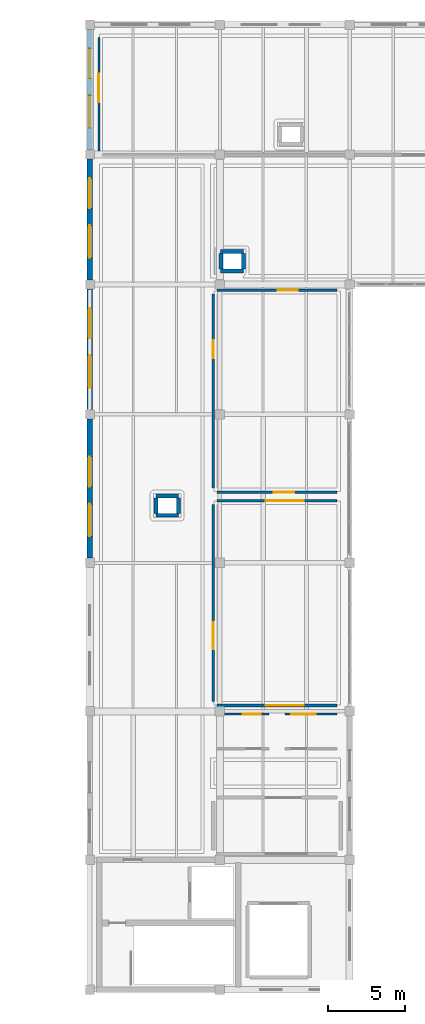
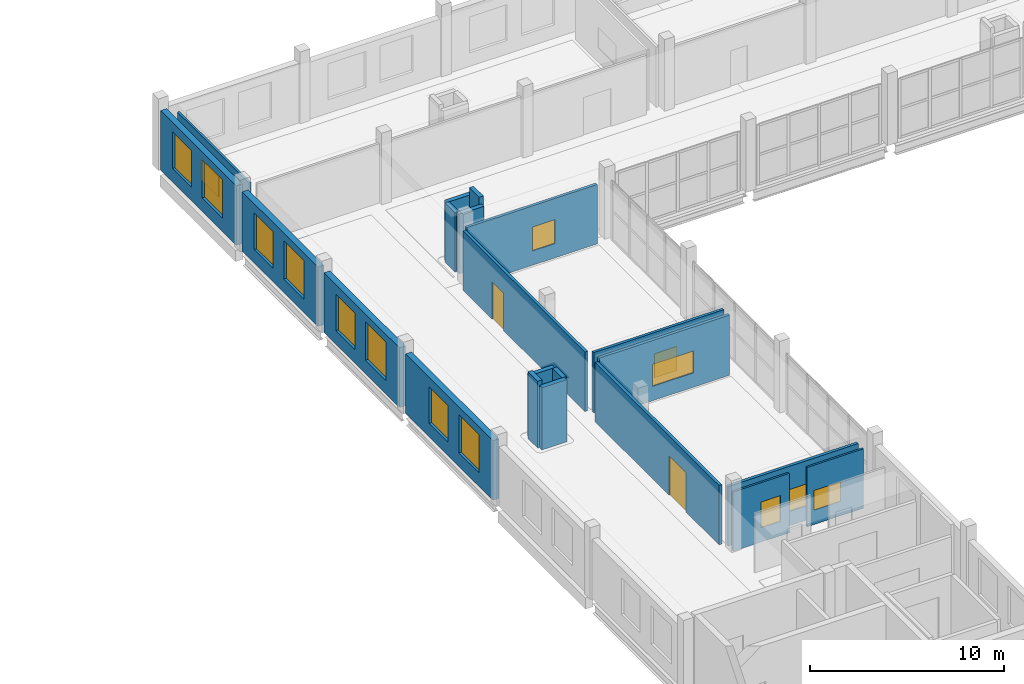
# One storey, part 50 of 54: 21 walls, 15 windows, 2 doors, 17 openings.
"""IFC4 building model written with IfcOpenShell, lengths in metres."""

from ifc_helpers import new_model, si_unit, direction, frame, frame_2d, origin, place, context, subcontext, project, spatial, rectangle, extrude, material, layer, layer_set, type_object, element, fill, save


model = new_model("IFC4")

# Units and contexts
model_context = context("Model", 3, precision=1e-05, world=origin(), true_north=direction((0.0, 1.0)))
body_context = subcontext(model_context, "Body", "Model", "MODEL_VIEW")
ifc_project = project(units=[si_unit("LENGTHUNIT", "METRE"), si_unit("AREAUNIT", "SQUARE_METRE"), si_unit("VOLUMEUNIT", "CUBIC_METRE"), si_unit("PLANEANGLEUNIT", "RADIAN"), si_unit("MASSUNIT", "GRAM", prefix="KILO")], contexts=[model_context])

# Site, building, storey
site_placement = place(None, origin())
site = spatial("IfcSite", under=ifc_project, at=site_placement, CompositionType="ELEMENT")
building_placement = place(site_placement, origin())
building = spatial("IfcBuilding", under=site, at=building_placement, Name="Zulmaris Art Gallery", CompositionType="ELEMENT")
storey_placement = place(building_placement, frame((0.0, 0.0, 26.39990234375)))
storey = spatial("IfcBuildingStorey", under=building, at=storey_placement, Name="L05", CompositionType="ELEMENT", Elevation=26.39990234375)

# Wall, openings, windows
ifc_material_1 = material(Name="Honed Omani Travertine Insulated Wall", Category="masonry")
ifc_layer_1 = layer(ifc_material_1, 0.360107421875)
ifc_layer_set_1 = layer_set([ifc_layer_1], Name="Honed Omani Travertine Insulated Wall")
wall_type_1 = type_object("IfcWallType", Name="ENV-WALL-EW03", PredefinedType="SOLIDWALL", material=ifc_layer_set_1)
wall_1_placement = place(storey_placement, frame((141.60009765625, 41.10205078125, 0.0), z_axis=(0.0, 0.0, 1.0), x_axis=(0.0, 1.0, 0.0)))
wall_1 = element("IfcWall", 1, at=wall_1_placement, inside=storey, type_object=wall_type_1, Name="L05 V5 Upper West Overlook Facade", PredefinedType="SOLIDWALL", context=body_context, shape_type="SweptSolid", body=[
    extrude(rectangle(XDim=8.995849609375, YDim=0.360107421875, at=frame_2d((4.498046875, 0.0))), origin(), (0.0, 0.0, 1.0), 3.739990234375),
])
opening_1_placement = place(wall_1_placement, frame((1.41796875, 0.0, 0.85009765625)))
opening_1 = element("IfcOpeningElement", 2, at=opening_1_placement, cuts=wall_1, Name="Opening W03", PredefinedType="OPENING", context=body_context, shape_type="SweptSolid", body=[
    extrude(rectangle(XDim=2.10009765625, YDim=2.39990234375, at=frame_2d((1.050048828125, 1.199951171875))), frame((0.0, 0.18994140625, 0.0), z_axis=(0.0, -1.0, 0.0), x_axis=(1.0, 0.0, 0.0)), (0.0, 0.0, 1.0), 0.380126953125),
])
opening_2_placement = place(wall_1_placement, frame((4.617919921875, 0.0, 0.85009765625)))
opening_2 = element("IfcOpeningElement", 3, at=opening_2_placement, cuts=wall_1, Name="Opening W08", PredefinedType="OPENING", context=body_context, shape_type="SweptSolid", body=[
    extrude(rectangle(XDim=1.949951171875, YDim=2.300048828125, at=frame_2d((0.97509765625, 1.14990234375))), frame((0.0, 0.18994140625, 0.0), z_axis=(0.0, -1.0, 0.0), x_axis=(1.0, 0.0, 0.0)), (0.0, 0.0, 1.0), 0.380126953125),
])
ifc_material_2 = material(Name="Double-Glazed Bronze-Framed Studio Window", Category="glass")
window_type_1 = type_object("IfcWindowType", Name="WIN-W03", PartitioningType="SINGLE_PANEL", PredefinedType="WINDOW", material=ifc_material_2)
window_1_placement = place(opening_1_placement, origin())
window_1 = element("IfcWindow", 4, at=window_1_placement, inside=storey, type_object=window_type_1, Name="L05 exterior window W03", OverallHeight=2.39990234375, OverallWidth=2.10009765625, PartitioningType="SINGLE_PANEL", PredefinedType="WINDOW", context=body_context, shape_type="SweptSolid", body=[
    extrude(rectangle(XDim=2.10009765625, YDim=2.39990234375, at=frame_2d((1.050048828125, 1.199951171875))), frame((0.0, 0.030029296875, 0.0), z_axis=(0.0, -1.0, 0.0), x_axis=(1.0, 0.0, 0.0)), (0.0, 0.0, 1.0), 0.06005859375),
])
fill(opening_1, window_1)
ifc_material_3 = material(Name="Curatorial North Studio Window", Category="glass")
window_type_2 = type_object("IfcWindowType", Name="WIN-W08", PartitioningType="SINGLE_PANEL", PredefinedType="WINDOW", material=ifc_material_3)
window_2_placement = place(opening_2_placement, origin())
window_2 = element("IfcWindow", 5, at=window_2_placement, inside=storey, type_object=window_type_2, Name="L05 exterior window W08", OverallHeight=2.300048828125, OverallWidth=1.949951171875, PartitioningType="SINGLE_PANEL", PredefinedType="WINDOW", context=body_context, shape_type="SweptSolid", body=[
    extrude(rectangle(XDim=1.949951171875, YDim=2.300048828125, at=frame_2d((0.97509765625, 1.14990234375))), frame((0.0, 0.030029296875, 0.0), z_axis=(0.0, -1.0, 0.0), x_axis=(1.0, 0.0, 0.0)), (0.0, 0.0, 1.0), 0.06005859375),
])
fill(opening_2, window_2)

wall_2_placement = place(storey_placement, frame((141.60009765625, 50.701904296875, 0.0), z_axis=(0.0, 0.0, 1.0), x_axis=(0.0, 1.0, 0.0)))
wall_2 = element("IfcWall", 6, at=wall_2_placement, inside=storey, type_object=wall_type_1, Name="L05 V5 Upper West Overlook Facade", PredefinedType="SOLIDWALL", context=body_context, shape_type="SweptSolid", body=[
    extrude(rectangle(XDim=7.796142578125, YDim=0.360107421875, at=frame_2d((3.89794921875, 0.0))), origin(), (0.0, 0.0, 1.0), 3.739990234375),
])
opening_3_placement = place(wall_2_placement, frame((1.41796875, 0.0, 0.85009765625)))
opening_3 = element("IfcOpeningElement", 7, at=opening_3_placement, cuts=wall_2, Name="Opening W03", PredefinedType="OPENING", context=body_context, shape_type="SweptSolid", body=[
    extrude(rectangle(XDim=2.10009765625, YDim=2.39990234375, at=frame_2d((1.050048828125, 1.199951171875))), frame((0.0, 0.18994140625, 0.0), z_axis=(0.0, -1.0, 0.0), x_axis=(1.0, 0.0, 0.0)), (0.0, 0.0, 1.0), 0.380126953125),
])
opening_4_placement = place(wall_2_placement, frame((4.617919921875, 0.0, 0.85009765625)))
opening_4 = element("IfcOpeningElement", 8, at=opening_4_placement, cuts=wall_2, Name="Opening W08", PredefinedType="OPENING", context=body_context, shape_type="SweptSolid", body=[
    extrude(rectangle(XDim=1.949951171875, YDim=2.300048828125, at=frame_2d((0.97509765625, 1.14990234375))), frame((0.0, 0.18994140625, 0.0), z_axis=(0.0, -1.0, 0.0), x_axis=(1.0, 0.0, 0.0)), (0.0, 0.0, 1.0), 0.380126953125),
])
window_3_placement = place(opening_3_placement, origin())
window_3 = element("IfcWindow", 9, at=window_3_placement, inside=storey, type_object=window_type_1, Name="L05 exterior window W03", OverallHeight=2.39990234375, OverallWidth=2.10009765625, PartitioningType="SINGLE_PANEL", PredefinedType="WINDOW", context=body_context, shape_type="SweptSolid", body=[
    extrude(rectangle(XDim=2.10009765625, YDim=2.39990234375, at=frame_2d((1.050048828125, 1.199951171875))), frame((0.0, 0.030029296875, 0.0), z_axis=(0.0, -1.0, 0.0), x_axis=(1.0, 0.0, 0.0)), (0.0, 0.0, 1.0), 0.06005859375),
])
fill(opening_3, window_3)
window_4_placement = place(opening_4_placement, origin())
window_4 = element("IfcWindow", 10, at=window_4_placement, inside=storey, type_object=window_type_2, Name="L05 exterior window W08", OverallHeight=2.300048828125, OverallWidth=1.949951171875, PartitioningType="SINGLE_PANEL", PredefinedType="WINDOW", context=body_context, shape_type="SweptSolid", body=[
    extrude(rectangle(XDim=1.949951171875, YDim=2.300048828125, at=frame_2d((0.97509765625, 1.14990234375))), frame((0.0, 0.030029296875, 0.0), z_axis=(0.0, -1.0, 0.0), x_axis=(1.0, 0.0, 0.0)), (0.0, 0.0, 1.0), 0.06005859375),
])
fill(opening_4, window_4)

wall_3_placement = place(storey_placement, frame((141.60009765625, 59.10205078125, 0.0), z_axis=(0.0, 0.0, 1.0), x_axis=(0.0, 1.0, 0.0)))
wall_3 = element("IfcWall", 11, at=wall_3_placement, inside=storey, type_object=wall_type_1, Name="L05 V5 Upper West Overlook Facade", PredefinedType="SOLIDWALL", context=body_context, shape_type="SweptSolid", body=[
    extrude(rectangle(XDim=7.7958984375, YDim=0.360107421875, at=frame_2d((3.89794921875, 0.0))), origin(), (0.0, 0.0, 1.0), 3.72998046875),
])
opening_5_placement = place(wall_3_placement, frame((1.41796875, 0.0, 0.85009765625)))
opening_5 = element("IfcOpeningElement", 12, at=opening_5_placement, cuts=wall_3, Name="Opening W03", PredefinedType="OPENING", context=body_context, shape_type="SweptSolid", body=[
    extrude(rectangle(XDim=2.10009765625, YDim=2.39990234375, at=frame_2d((1.050048828125, 1.199951171875))), frame((0.0, 0.18994140625, 0.0), z_axis=(0.0, -1.0, 0.0), x_axis=(1.0, 0.0, 0.0)), (0.0, 0.0, 1.0), 0.380126953125),
])
opening_6_placement = place(wall_3_placement, frame((4.617919921875, 0.0, 0.85009765625)))
opening_6 = element("IfcOpeningElement", 13, at=opening_6_placement, cuts=wall_3, Name="Opening W08", PredefinedType="OPENING", context=body_context, shape_type="SweptSolid", body=[
    extrude(rectangle(XDim=1.949951171875, YDim=2.300048828125, at=frame_2d((0.97509765625, 1.14990234375))), frame((0.0, 0.18994140625, 0.0), z_axis=(0.0, -1.0, 0.0), x_axis=(1.0, 0.0, 0.0)), (0.0, 0.0, 1.0), 0.380126953125),
])
window_5_placement = place(opening_5_placement, origin())
window_5 = element("IfcWindow", 14, at=window_5_placement, inside=storey, type_object=window_type_1, Name="L05 exterior window W03", OverallHeight=2.39990234375, OverallWidth=2.10009765625, PartitioningType="SINGLE_PANEL", PredefinedType="WINDOW", context=body_context, shape_type="SweptSolid", body=[
    extrude(rectangle(XDim=2.10009765625, YDim=2.39990234375, at=frame_2d((1.050048828125, 1.199951171875))), frame((0.0, 0.030029296875, 0.0), z_axis=(0.0, -1.0, 0.0), x_axis=(1.0, 0.0, 0.0)), (0.0, 0.0, 1.0), 0.06005859375),
])
fill(opening_5, window_5)
window_6_placement = place(opening_6_placement, origin())
window_6 = element("IfcWindow", 15, at=window_6_placement, inside=storey, type_object=window_type_2, Name="L05 exterior window W08", OverallHeight=2.300048828125, OverallWidth=1.949951171875, PartitioningType="SINGLE_PANEL", PredefinedType="WINDOW", context=body_context, shape_type="SweptSolid", body=[
    extrude(rectangle(XDim=1.949951171875, YDim=2.300048828125, at=frame_2d((0.97509765625, 1.14990234375))), frame((0.0, 0.030029296875, 0.0), z_axis=(0.0, -1.0, 0.0), x_axis=(1.0, 0.0, 0.0)), (0.0, 0.0, 1.0), 0.06005859375),
])
fill(opening_6, window_6)

wall_4_placement = place(storey_placement, frame((141.60009765625, 67.501953125, 0.0), z_axis=(0.0, 0.0, 1.0), x_axis=(0.0, 1.0, 0.0)))
wall_4 = element("IfcWall", 16, at=wall_4_placement, inside=storey, type_object=wall_type_1, Name="L05 V5 Upper West Overlook Facade", PredefinedType="SOLIDWALL", context=body_context, shape_type="SweptSolid", body=[
    extrude(rectangle(XDim=7.796142578125, YDim=0.360107421875, at=frame_2d((3.89794921875, 0.0))), origin(), (0.0, 0.0, 1.0), 3.739990234375),
])
opening_7_placement = place(wall_4_placement, frame((1.41796875, 0.0, 0.85009765625)))
opening_7 = element("IfcOpeningElement", 17, at=opening_7_placement, cuts=wall_4, Name="Opening W03", PredefinedType="OPENING", context=body_context, shape_type="SweptSolid", body=[
    extrude(rectangle(XDim=2.10009765625, YDim=2.39990234375, at=frame_2d((1.050048828125, 1.199951171875))), frame((0.0, 0.18994140625, 0.0), z_axis=(0.0, -1.0, 0.0), x_axis=(1.0, 0.0, 0.0)), (0.0, 0.0, 1.0), 0.380126953125),
])
opening_8_placement = place(wall_4_placement, frame((4.617919921875, 0.0, 0.85009765625)))
opening_8 = element("IfcOpeningElement", 18, at=opening_8_placement, cuts=wall_4, Name="Opening W08", PredefinedType="OPENING", context=body_context, shape_type="SweptSolid", body=[
    extrude(rectangle(XDim=1.949951171875, YDim=2.300048828125, at=frame_2d((0.97509765625, 1.14990234375))), frame((0.0, 0.18994140625, 0.0), z_axis=(0.0, -1.0, 0.0), x_axis=(1.0, 0.0, 0.0)), (0.0, 0.0, 1.0), 0.380126953125),
])
window_7_placement = place(opening_7_placement, origin())
window_7 = element("IfcWindow", 19, at=window_7_placement, inside=storey, type_object=window_type_1, Name="L05 exterior window W03", OverallHeight=2.39990234375, OverallWidth=2.10009765625, PartitioningType="SINGLE_PANEL", PredefinedType="WINDOW", context=body_context, shape_type="SweptSolid", body=[
    extrude(rectangle(XDim=2.10009765625, YDim=2.39990234375, at=frame_2d((1.050048828125, 1.199951171875))), frame((0.0, 0.030029296875, 0.0), z_axis=(0.0, -1.0, 0.0), x_axis=(1.0, 0.0, 0.0)), (0.0, 0.0, 1.0), 0.06005859375),
])
fill(opening_7, window_7)
window_8_placement = place(opening_8_placement, origin())
window_8 = element("IfcWindow", 20, at=window_8_placement, inside=storey, type_object=window_type_2, Name="L05 exterior window W08", OverallHeight=2.300048828125, OverallWidth=1.949951171875, PartitioningType="SINGLE_PANEL", PredefinedType="WINDOW", context=body_context, shape_type="SweptSolid", body=[
    extrude(rectangle(XDim=1.949951171875, YDim=2.300048828125, at=frame_2d((0.97509765625, 1.14990234375))), frame((0.0, 0.030029296875, 0.0), z_axis=(0.0, -1.0, 0.0), x_axis=(1.0, 0.0, 0.0)), (0.0, 0.0, 1.0), 0.06005859375),
])
fill(opening_8, window_8)

# Wall, opening, window
ifc_material_4 = material(Name="Moisture-Resistant Tile-Backer Wet Wall", Category="gypsum")
ifc_layer_2 = layer(ifc_material_4, 0.114990234375)
ifc_layer_set_2 = layer_set([ifc_layer_2], Name="Moisture-Resistant Tile-Backer Wet Wall")
wall_type_2 = type_object("IfcWallType", Name="IWALL-PW02", PredefinedType="PARTITIONING", material=ifc_layer_set_2)
wall_5_placement = place(storey_placement, frame((149.830078125, 31.02001953125, 0.0), z_axis=(0.0, 0.0, 1.0), x_axis=(1.0, 0.0, 0.0)))
wall_5 = element("IfcWall", 21, at=wall_5_placement, inside=storey, type_object=wall_type_2, Name="Level 05 Male WC N partition", PredefinedType="PARTITIONING", context=body_context, shape_type="SweptSolid", body=[
    extrude(rectangle(XDim=3.33984375, YDim=0.114990234375, at=frame_2d((1.669921875, 0.0))), origin(), (0.0, 0.0, 1.0), 3.72998046875),
])
opening_9_placement = place(wall_5_placement, frame((1.64990234375, 0.0, 0.89990234375)))
opening_9 = element("IfcOpeningElement", 22, at=opening_9_placement, cuts=wall_5, Name="Opening IW08", PredefinedType="OPENING", context=body_context, shape_type="SweptSolid", body=[
    extrude(rectangle(XDim=1.159912109375, YDim=1.6201171875, at=frame_2d((0.580078125, 0.81005859375))), frame((0.0, 0.0673828125, 0.0), z_axis=(0.0, -1.0, 0.0), x_axis=(1.0, 0.0, 0.0)), (0.0, 0.0, 1.0), 0.135009765625),
])
ifc_material_5 = material(Name="Foyer Cloakroom Counter Glazing", Category="glass")
window_type_3 = type_object("IfcWindowType", Name="IWIN-IW08", PartitioningType="SINGLE_PANEL", PredefinedType="WINDOW", material=ifc_material_5)
window_9_placement = place(opening_9_placement, origin())
window_9 = element("IfcWindow", 23, at=window_9_placement, inside=storey, type_object=window_type_3, Name="L05 interior observation window IW08", OverallHeight=1.6201171875, OverallWidth=1.159912109375, PartitioningType="SINGLE_PANEL", PredefinedType="WINDOW", context=body_context, shape_type="SweptSolid", body=[
    extrude(rectangle(XDim=1.159912109375, YDim=1.6201171875, at=frame_2d((0.580078125, 0.81005859375))), frame((0.0, 0.030029296875, 0.0), z_axis=(0.0, -1.0, 0.0), x_axis=(1.0, 0.0, 0.0)), (0.0, 0.0, 1.0), 0.06005859375),
])
fill(opening_9, window_9)

wall_6_placement = place(storey_placement, frame((154.22998046875, 31.02001953125, 0.0), z_axis=(0.0, 0.0, 1.0), x_axis=(1.0, 0.0, 0.0)))
wall_6 = element("IfcWall", 24, at=wall_6_placement, inside=storey, type_object=wall_type_2, Name="Level 05 Accessible WC N partition", PredefinedType="PARTITIONING", context=body_context, shape_type="SweptSolid", body=[
    extrude(rectangle(XDim=3.340087890625, YDim=0.114990234375, at=frame_2d((1.669921875, 0.0))), origin(), (0.0, 0.0, 1.0), 3.72998046875),
])
opening_10_placement = place(wall_6_placement, frame((0.39990234375, 0.0, 0.89990234375)))
opening_10 = element("IfcOpeningElement", 25, at=opening_10_placement, cuts=wall_6, Name="Opening IW09", PredefinedType="OPENING", context=body_context, shape_type="SweptSolid", body=[
    extrude(rectangle(XDim=1.580078125, YDim=1.239990234375, at=frame_2d((0.7900390625, 0.6201171875))), frame((0.0, 0.0673828125, 0.0), z_axis=(0.0, -1.0, 0.0), x_axis=(1.0, 0.0, 0.0)), (0.0, 0.0, 1.0), 0.135009765625),
])
ifc_material_6 = material(Name="Registrar Inspection Glazing", Category="glass")
window_type_4 = type_object("IfcWindowType", Name="IWIN-IW09", PartitioningType="SINGLE_PANEL", PredefinedType="WINDOW", material=ifc_material_6)
window_10_placement = place(opening_10_placement, origin())
window_10 = element("IfcWindow", 26, at=window_10_placement, inside=storey, type_object=window_type_4, Name="L05 interior observation window IW09", OverallHeight=1.239990234375, OverallWidth=1.580078125, PartitioningType="SINGLE_PANEL", PredefinedType="WINDOW", context=body_context, shape_type="SweptSolid", body=[
    extrude(rectangle(XDim=1.580078125, YDim=1.239990234375, at=frame_2d((0.7900390625, 0.6201171875))), frame((0.0, 0.030029296875, 0.0), z_axis=(0.0, -1.0, 0.0), x_axis=(1.0, 0.0, 0.0)), (0.0, 0.0, 1.0), 0.06005859375),
])
fill(opening_10, window_10)

ifc_material_7 = material(Name="Light Gallery Backing Partition", Category="gypsum")
ifc_layer_3 = layer(ifc_material_7, 0.1298828125)
ifc_layer_set_3 = layer_set([ifc_layer_3], Name="Light Gallery Backing Partition")
wall_type_3 = type_object("IfcWallType", Name="IWALL-PW03", PredefinedType="PARTITIONING", material=ifc_layer_set_3)
wall_7_placement = place(storey_placement, frame((142.179931640625, 67.429931640625, 0.0), z_axis=(0.0, 0.0, 1.0), x_axis=(0.0, 1.0, 0.0)))
wall_7 = element("IfcWall", 27, at=wall_7_placement, inside=storey, type_object=wall_type_3, Name="Resident Artists' Studio 5 (Large Format) W partition", PredefinedType="PARTITIONING", context=body_context, shape_type="SweptSolid", body=[
    extrude(rectangle(XDim=7.340087890625, YDim=0.1298828125, at=frame_2d((3.669921875, 0.0))), origin(), (0.0, 0.0, 1.0), 3.72998046875),
])
opening_11_placement = place(wall_7_placement, frame((3.14990234375, 0.0, 0.89990234375)))
opening_11 = element("IfcOpeningElement", 28, at=opening_11_placement, cuts=wall_7, Name="Opening IW02", PredefinedType="OPENING", context=body_context, shape_type="SweptSolid", body=[
    extrude(rectangle(XDim=1.860107421875, YDim=1.280029296875, at=frame_2d((0.93017578125, 0.64013671875))), frame((0.0, 0.074951171875, 0.0), z_axis=(0.0, -1.0, 0.0), x_axis=(1.0, 0.0, 0.0)), (0.0, 0.0, 1.0), 0.14990234375),
])
ifc_material_8 = material(Name="Auditorium Booth Acoustic Window", Category="glass")
window_type_5 = type_object("IfcWindowType", Name="IWIN-IW02", PartitioningType="SINGLE_PANEL", PredefinedType="WINDOW", material=ifc_material_8)
window_11_placement = place(opening_11_placement, origin())
window_11 = element("IfcWindow", 29, at=window_11_placement, inside=storey, type_object=window_type_5, Name="L05 interior observation window IW02", OverallHeight=1.280029296875, OverallWidth=1.860107421875, PartitioningType="SINGLE_PANEL", PredefinedType="WINDOW", context=body_context, shape_type="SweptSolid", body=[
    extrude(rectangle(XDim=1.860107421875, YDim=1.280029296875, at=frame_2d((0.93017578125, 0.64013671875))), frame((0.0, 0.030029296875, 0.0), z_axis=(0.0, -1.0, 0.0), x_axis=(1.0, 0.0, 0.0)), (0.0, 0.0, 1.0), 0.06005859375),
])
fill(opening_11, window_11)

# Wall, opening, door
ifc_material_9 = material(Name="Timber-Backed Heavy Artwork Display Partition", Category="wood")
ifc_layer_4 = layer(ifc_material_9, 0.159912109375)
ifc_layer_set_4 = layer_set([ifc_layer_4], Name="Timber-Backed Heavy Artwork Display Partition")
wall_type_4 = type_object("IfcWallType", Name="IWALL-PW05", PredefinedType="PARTITIONING", material=ifc_layer_set_4)
wall_8_placement = place(storey_placement, frame((149.580078125, 45.6298828125, 0.0), z_axis=(0.0, 0.0, 1.0), x_axis=(0.0, 1.0, 0.0)))
wall_8 = element("IfcWall", 30, at=wall_8_placement, inside=storey, type_object=wall_type_4, Name="Visiting Curators' Fellowship Library W partition", PredefinedType="PARTITIONING", context=body_context, shape_type="SweptSolid", body=[
    extrude(rectangle(XDim=12.5400390625, YDim=0.159912109375, at=frame_2d((6.27001953125, 0.0))), origin(), (0.0, 0.0, 1.0), 3.739990234375),
])
opening_12_placement = place(wall_8_placement, frame((8.39990234375, 0.0, 0.0)))
opening_12 = element("IfcOpeningElement", 31, at=opening_12_placement, cuts=wall_8, Name="Opening D24", PredefinedType="OPENING", context=body_context, shape_type="SweptSolid", body=[
    extrude(rectangle(XDim=1.159912109375, YDim=2.340087890625, at=frame_2d((0.580078125, 1.169921875))), frame((0.0, 0.08984375, 0.0), z_axis=(0.0, -1.0, 0.0), x_axis=(1.0, 0.0, 0.0)), (0.0, 0.0, 1.0), 0.179931640625),
])
ifc_material_10 = material(Name="Darkroom Light-Lock Door", Category="steel")
door_type_1 = type_object("IfcDoorType", Name="IDOOR-D24", OperationType="NOTDEFINED", PredefinedType="DOOR", material=ifc_material_10)
door_1_placement = place(opening_12_placement, origin())
door_1 = element("IfcDoor", 32, at=door_1_placement, inside=storey, type_object=door_type_1, Name="Visiting Curators' Fellowship Library Door", OperationType="SINGLE_SWING_LEFT", OverallHeight=2.340087890625, OverallWidth=1.159912109375, PredefinedType="DOOR", context=body_context, shape_type="SweptSolid", body=[
    extrude(rectangle(XDim=1.159912109375, YDim=2.340087890625, at=frame_2d((0.580078125, 1.169921875))), frame((0.0, 0.02490234375, 0.0), z_axis=(0.0, -1.0, 0.0), x_axis=(1.0, 0.0, 0.0)), (0.0, 0.0, 1.0), 0.050048828125),
])
fill(opening_12, door_1)

# Wall, opening, window
wall_9_placement = place(storey_placement, frame((149.830078125, 45.3798828125, 0.0), z_axis=(0.0, 0.0, 1.0), x_axis=(1.0, 0.0, 0.0)))
wall_9 = element("IfcWall", 33, at=wall_9_placement, inside=storey, type_object=wall_type_4, Name="Visiting Curators' Fellowship Library S partition", PredefinedType="PARTITIONING", context=body_context, shape_type="SweptSolid", body=[
    extrude(rectangle(XDim=7.739990234375, YDim=0.159912109375, at=frame_2d((3.8701171875, 0.0))), origin(), (0.0, 0.0, 1.0), 3.780029296875),
])
opening_13_placement = place(wall_9_placement, frame((3.64990234375, 0.0, 0.89990234375)))
opening_13 = element("IfcOpeningElement", 34, at=opening_13_placement, cuts=wall_9, Name="Opening IW04", PredefinedType="OPENING", context=body_context, shape_type="SweptSolid", body=[
    extrude(rectangle(XDim=1.320068359375, YDim=1.5, at=frame_2d((0.66015625, 0.75))), frame((0.0, 0.08984375, 0.0), z_axis=(0.0, -1.0, 0.0), x_axis=(1.0, 0.0, 0.0)), (0.0, 0.0, 1.0), 0.179931640625),
])
ifc_material_11 = material(Name="Curatorial Study Vitrine Window", Category="glass")
window_type_6 = type_object("IfcWindowType", Name="IWIN-IW04", PartitioningType="SINGLE_PANEL", PredefinedType="WINDOW", material=ifc_material_11)
window_12_placement = place(opening_13_placement, origin())
window_12 = element("IfcWindow", 35, at=window_12_placement, inside=storey, type_object=window_type_6, Name="L05 interior observation window IW04", OverallHeight=1.5, OverallWidth=1.320068359375, PartitioningType="SINGLE_PANEL", PredefinedType="WINDOW", context=body_context, shape_type="SweptSolid", body=[
    extrude(rectangle(XDim=1.320068359375, YDim=1.5, at=frame_2d((0.66015625, 0.75))), frame((0.0, 0.030029296875, 0.0), z_axis=(0.0, -1.0, 0.0), x_axis=(1.0, 0.0, 0.0)), (0.0, 0.0, 1.0), 0.06005859375),
])
fill(opening_13, window_12)

wall_10_placement = place(storey_placement, frame((149.830078125, 58.419921875, 0.0), z_axis=(0.0, 0.0, 1.0), x_axis=(1.0, 0.0, 0.0)))
wall_10 = element("IfcWall", 36, at=wall_10_placement, inside=storey, type_object=wall_type_4, Name="Visiting Curators' Fellowship Library N partition", PredefinedType="PARTITIONING", context=body_context, shape_type="SweptSolid", body=[
    extrude(rectangle(XDim=7.739990234375, YDim=0.159912109375, at=frame_2d((3.8701171875, 0.0))), origin(), (0.0, 0.0, 1.0), 3.72998046875),
])
opening_14_placement = place(wall_10_placement, frame((3.89990234375, 0.0, 0.89990234375)))
opening_14 = element("IfcOpeningElement", 37, at=opening_14_placement, cuts=wall_10, Name="Opening IW04", PredefinedType="OPENING", context=body_context, shape_type="SweptSolid", body=[
    extrude(rectangle(XDim=1.320068359375, YDim=1.5, at=frame_2d((0.66015625, 0.75))), frame((0.0, 0.08984375, 0.0), z_axis=(0.0, -1.0, 0.0), x_axis=(1.0, 0.0, 0.0)), (0.0, 0.0, 1.0), 0.179931640625),
])
window_13_placement = place(opening_14_placement, origin())
window_13 = element("IfcWindow", 38, at=window_13_placement, inside=storey, type_object=window_type_6, Name="L05 interior observation window IW04", OverallHeight=1.5, OverallWidth=1.320068359375, PartitioningType="SINGLE_PANEL", PredefinedType="WINDOW", context=body_context, shape_type="SweptSolid", body=[
    extrude(rectangle(XDim=1.320068359375, YDim=1.5, at=frame_2d((0.66015625, 0.75))), frame((0.0, 0.030029296875, 0.0), z_axis=(0.0, -1.0, 0.0), x_axis=(1.0, 0.0, 0.0)), (0.0, 0.0, 1.0), 0.06005859375),
])
fill(opening_14, window_13)

# Wall, opening, door
ifc_material_12 = material(Name="Acoustic Studio Separation Partition", Category="gypsum")
ifc_layer_5 = layer(ifc_material_12, 0.175048828125)
ifc_layer_set_5 = layer_set([ifc_layer_5], Name="Acoustic Studio Separation Partition")
wall_type_5 = type_object("IfcWallType", Name="IWALL-PW06", PredefinedType="PARTITIONING", material=ifc_layer_set_5)
wall_11_placement = place(storey_placement, frame((149.580078125, 31.830078125, 0.0), z_axis=(0.0, 0.0, 1.0), x_axis=(0.0, 1.0, 0.0)))
wall_11 = element("IfcWall", 39, at=wall_11_placement, inside=storey, type_object=wall_type_5, Name="Symposium & Critique Lecture Room W partition", PredefinedType="PARTITIONING", context=body_context, shape_type="SweptSolid", body=[
    extrude(rectangle(XDim=12.739990234375, YDim=0.175048828125, at=frame_2d((6.3701171875, 0.0))), origin(), (0.0, 0.0, 1.0), 3.72998046875),
])
opening_15_placement = place(wall_11_placement, frame((3.39990234375, 0.0, 0.0)))
opening_15 = element("IfcOpeningElement", 40, at=opening_15_placement, cuts=wall_11, Name="Opening D25", PredefinedType="OPENING", context=body_context, shape_type="SweptSolid", body=[
    extrude(rectangle(XDim=1.739990234375, YDim=2.47998046875, at=frame_2d((0.8701171875, 1.239990234375))), frame((0.0, 0.097412109375, 0.0), z_axis=(0.0, -1.0, 0.0), x_axis=(1.0, 0.0, 0.0)), (0.0, 0.0, 1.0), 0.195068359375),
])
ifc_material_13 = material(Name="Cafe & Kitchen Service Double Door", Category="timber")
door_type_2 = type_object("IfcDoorType", Name="IDOOR-D25", OperationType="DOUBLE_SWING_LEFT", PredefinedType="DOOR", material=ifc_material_13)
door_2_placement = place(opening_15_placement, origin())
door_2 = element("IfcDoor", 41, at=door_2_placement, inside=storey, type_object=door_type_2, Name="Symposium & Critique Lecture Room Door", OperationType="DOUBLE_SWING_LEFT", OverallHeight=2.47998046875, OverallWidth=1.739990234375, PredefinedType="DOOR", context=body_context, shape_type="SweptSolid", body=[
    extrude(rectangle(XDim=1.739990234375, YDim=2.47998046875, at=frame_2d((0.8701171875, 1.239990234375))), frame((0.0, 0.02490234375, 0.0), z_axis=(0.0, -1.0, 0.0), x_axis=(1.0, 0.0, 0.0)), (0.0, 0.0, 1.0), 0.050048828125),
])
fill(opening_15, door_2)

# Wall, opening, window
wall_12_placement = place(storey_placement, frame((149.830078125, 31.580078125, 0.0), z_axis=(0.0, 0.0, 1.0), x_axis=(1.0, 0.0, 0.0)))
wall_12 = element("IfcWall", 42, at=wall_12_placement, inside=storey, type_object=wall_type_5, Name="Symposium & Critique Lecture Room S partition", PredefinedType="PARTITIONING", context=body_context, shape_type="SweptSolid", body=[
    extrude(rectangle(XDim=7.739990234375, YDim=0.175048828125, at=frame_2d((3.8701171875, 0.0))), origin(), (0.0, 0.0, 1.0), 3.739990234375),
])
opening_16_placement = place(wall_12_placement, frame((3.14990234375, 0.0, 0.89990234375)))
opening_16 = element("IfcOpeningElement", 43, at=opening_16_placement, cuts=wall_12, Name="Opening IW05", PredefinedType="OPENING", context=body_context, shape_type="SweptSolid", body=[
    extrude(rectangle(XDim=2.4599609375, YDim=1.3798828125, at=frame_2d((1.22998046875, 0.68994140625))), frame((0.0, 0.097412109375, 0.0), z_axis=(0.0, -1.0, 0.0), x_axis=(1.0, 0.0, 0.0)), (0.0, 0.0, 1.0), 0.195068359375),
])
ifc_material_14 = material(Name="Workshop Safety Observation Window", Category="glass")
window_type_7 = type_object("IfcWindowType", Name="IWIN-IW05", PartitioningType="SINGLE_PANEL", PredefinedType="WINDOW", material=ifc_material_14)
window_14_placement = place(opening_16_placement, origin())
window_14 = element("IfcWindow", 44, at=window_14_placement, inside=storey, type_object=window_type_7, Name="L05 interior observation window IW05", OverallHeight=1.3798828125, OverallWidth=2.4599609375, PartitioningType="SINGLE_PANEL", PredefinedType="WINDOW", context=body_context, shape_type="SweptSolid", body=[
    extrude(rectangle(XDim=2.4599609375, YDim=1.3798828125, at=frame_2d((1.22998046875, 0.68994140625))), frame((0.0, 0.030029296875, 0.0), z_axis=(0.0, -1.0, 0.0), x_axis=(1.0, 0.0, 0.0)), (0.0, 0.0, 1.0), 0.06005859375),
])
fill(opening_16, window_14)

wall_13_placement = place(storey_placement, frame((149.830078125, 44.820068359375, 0.0), z_axis=(0.0, 0.0, 1.0), x_axis=(1.0, 0.0, 0.0)))
wall_13 = element("IfcWall", 45, at=wall_13_placement, inside=storey, type_object=wall_type_5, Name="Symposium & Critique Lecture Room N partition", PredefinedType="PARTITIONING", context=body_context, shape_type="SweptSolid", body=[
    extrude(rectangle(XDim=7.739990234375, YDim=0.175048828125, at=frame_2d((3.8701171875, 0.0))), origin(), (0.0, 0.0, 1.0), 3.780029296875),
])
opening_17_placement = place(wall_13_placement, frame((3.14990234375, 0.0, 0.89990234375)))
opening_17 = element("IfcOpeningElement", 46, at=opening_17_placement, cuts=wall_13, Name="Opening IW05", PredefinedType="OPENING", context=body_context, shape_type="SweptSolid", body=[
    extrude(rectangle(XDim=2.4599609375, YDim=1.3798828125, at=frame_2d((1.22998046875, 0.68994140625))), frame((0.0, 0.097412109375, 0.0), z_axis=(0.0, -1.0, 0.0), x_axis=(1.0, 0.0, 0.0)), (0.0, 0.0, 1.0), 0.195068359375),
])
window_15_placement = place(opening_17_placement, origin())
window_15 = element("IfcWindow", 47, at=window_15_placement, inside=storey, type_object=window_type_7, Name="L05 interior observation window IW05", OverallHeight=1.3798828125, OverallWidth=2.4599609375, PartitioningType="SINGLE_PANEL", PredefinedType="WINDOW", context=body_context, shape_type="SweptSolid", body=[
    extrude(rectangle(XDim=2.4599609375, YDim=1.3798828125, at=frame_2d((1.22998046875, 0.68994140625))), frame((0.0, 0.030029296875, 0.0), z_axis=(0.0, -1.0, 0.0), x_axis=(1.0, 0.0, 0.0)), (0.0, 0.0, 1.0), 0.06005859375),
])
fill(opening_17, window_15)

# Walls
ifc_material_15 = material(Name="MEP Riser & Smoke Shaft Enclosure Wall", Category="masonry")
ifc_layer_6 = layer(ifc_material_15, 0.2548828125)
ifc_layer_set_6 = layer_set([ifc_layer_6], Name="MEP Riser & Smoke Shaft Enclosure Wall")
wall_type_6 = type_object("IfcWallType", Name="IWALL-PW11", PredefinedType="PARTITIONING", material=ifc_layer_set_6)
for number, where, z_axis, x_axis, name in (
    (48, (150.06005859375, 60.919921875, 0.0), (0.0, 0.0, 1.0), (1.0, 0.0, 0.0), "L05 MEP Riser 13 N wall"),
    (49, (150.06005859375, 59.679931640625, 0.0), (0.0, 0.0, 1.0), (1.0, 0.0, 0.0), "L05 MEP Riser 13 S wall"),
):
    element("IfcWall", number, at=place(storey_placement, frame(where, z_axis=z_axis, x_axis=x_axis)), inside=storey, type_object=wall_type_6, Name=name, PredefinedType="PARTITIONING", context=body_context, shape_type="SweptSolid", body=[
        extrude(rectangle(XDim=1.47998046875, YDim=0.2548828125, at=frame_2d((0.739990234375, 0.0))), origin(), (0.0, 0.0, 1.0), 3.739990234375),
    ])
wall_14_placement = place(storey_placement, frame((150.080078125, 59.800048828125, 0.0), z_axis=(0.0, 0.0, 1.0), x_axis=(0.0, 1.0, 0.0)))
element("IfcWall", 50, at=wall_14_placement, inside=storey, type_object=wall_type_6, Name="L05 MEP Riser 13 W wall", PredefinedType="PARTITIONING", context=body_context, shape_type="SweptSolid", body=[
    extrude(rectangle(XDim=1.0, YDim=0.2548828125, at=frame_2d((0.5, 0.0))), origin(), (0.0, 0.0, 1.0), 3.739990234375),
])
wall_15_placement = place(storey_placement, frame((151.52001953125, 59.800048828125, 0.0), z_axis=(0.0, 0.0, 1.0), x_axis=(0.0, 1.0, 0.0)))
element("IfcWall", 51, at=wall_15_placement, inside=storey, type_object=wall_type_6, Name="L05 MEP Riser 13 E wall", PredefinedType="PARTITIONING", context=body_context, shape_type="SweptSolid", body=[
    extrude(rectangle(XDim=1.0, YDim=0.2548828125, at=frame_2d((0.5, 0.0))), origin(), (0.0, 0.0, 1.0), 4.2001953125),
])
for number, where, z_axis, x_axis, name in (
    (52, (145.860107421875, 45.1201171875, 0.0), (0.0, 0.0, 1.0), (1.0, 0.0, 0.0), "L05 MEP Riser 17 N wall"),
    (53, (145.860107421875, 43.8798828125, 0.0), (0.0, 0.0, 1.0), (1.0, 0.0, 0.0), "L05 MEP Riser 17 S wall"),
):
    element("IfcWall", number, at=place(storey_placement, frame(where, z_axis=z_axis, x_axis=x_axis)), inside=storey, type_object=wall_type_6, Name=name, PredefinedType="PARTITIONING", context=body_context, shape_type="SweptSolid", body=[
        extrude(rectangle(XDim=1.47998046875, YDim=0.2548828125, at=frame_2d((0.739990234375, 0.0))), origin(), (0.0, 0.0, 1.0), 3.91015625),
    ])
wall_16_placement = place(storey_placement, frame((145.8798828125, 44.0, 0.0), z_axis=(0.0, 0.0, 1.0), x_axis=(0.0, 1.0, 0.0)))
element("IfcWall", 54, at=wall_16_placement, inside=storey, type_object=wall_type_6, Name="L05 MEP Riser 17 W wall", PredefinedType="PARTITIONING", context=body_context, shape_type="SweptSolid", body=[
    extrude(rectangle(XDim=1.0, YDim=0.2548828125, at=frame_2d((0.5, 0.0))), origin(), (0.0, 0.0, 1.0), 4.2001953125),
])
wall_17_placement = place(storey_placement, frame((147.320068359375, 44.0, 0.0), z_axis=(0.0, 0.0, 1.0), x_axis=(0.0, 1.0, 0.0)))
element("IfcWall", 55, at=wall_17_placement, inside=storey, type_object=wall_type_6, Name="L05 MEP Riser 17 E wall", PredefinedType="PARTITIONING", context=body_context, shape_type="SweptSolid", body=[
    extrude(rectangle(XDim=1.0, YDim=0.2548828125, at=frame_2d((0.5, 0.0))), origin(), (0.0, 0.0, 1.0), 3.91015625),
])

save(model, "model.ifc")
